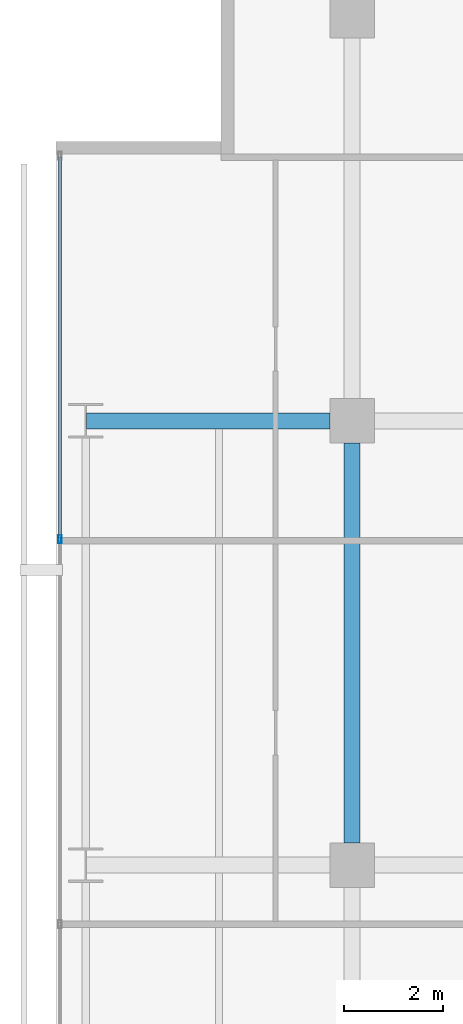
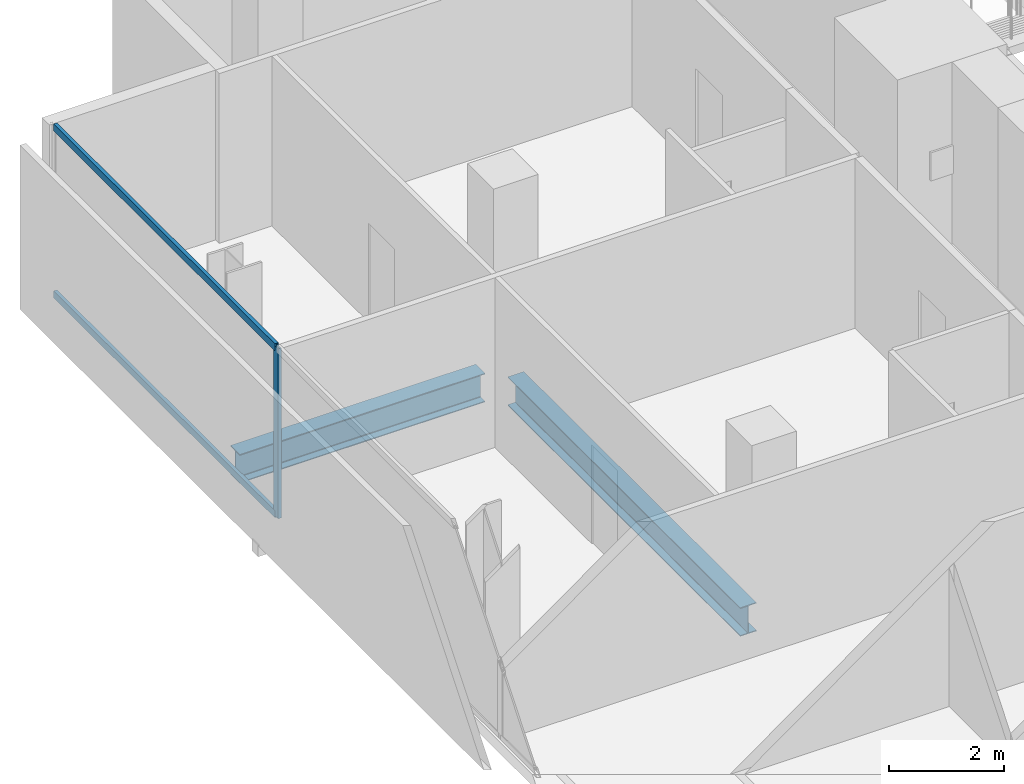
# One storey, part 23 of 40: 3 members, 2 beams, 1 element without a shape of its own.
"""IFC4 building model written with IfcOpenShell, lengths in metres."""

import ifcopenshell
import ifcopenshell.guid

model = None  # the IFC model being written
_history = None  # IfcOwnerHistory: only IFC2X3 demands one
_inside = {}  # id of a spatial element -> (the spatial element, [elements in it])
_under = {}  # id of a project, library or spatial element -> (it, [spatial elements below it])
_declared = {}  # id of a project -> (the project, [libraries it declares])
_typed = {}  # id of a type object -> (the type object, [elements of that type])
_made_of = {}  # id of a material, layer set ... -> (it, [elements and type objects made of it])


def new_model(schema):
    """Start an empty IFC model of exactly this schema.

    Asked for "IFC4X3", IfcOpenShell would pick the latest addendum, in which some entities
    have other attributes; the version numbers below select the first issue.
    IFC2X3 requires an IfcOwnerHistory on every rooted entity: one is made here for all.
    """
    global model, _history
    if schema == "IFC4X3":
        model = ifcopenshell.file(schema_version=(4, 3, 0, 0))
    else:
        model = ifcopenshell.file(schema=schema)
    _inside.clear()
    _under.clear()
    _declared.clear()
    _typed.clear()
    _made_of.clear()
    _history = None
    if model.schema == "IFC2X3":
        org = make("IfcOrganization", Name="unknown")
        user = make(
            "IfcPersonAndOrganization",
            ThePerson=make("IfcPerson", FamilyName="unknown"),
            TheOrganization=org,
        )
        app = make(
            "IfcApplication",
            ApplicationDeveloper=org,
            Version="unknown",
            ApplicationFullName="unknown",
            ApplicationIdentifier="unknown",
        )
        _history = make(
            "IfcOwnerHistory",
            OwningUser=user,
            OwningApplication=app,
            ChangeAction="ADDED",
            CreationDate=0,
        )
    return model


def make(cls, **values):
    """One entity of the class cls with the attributes given. An attribute that is None is left unset."""
    return model.create_entity(
        cls, **{name: value for name, value in values.items() if value is not None}
    )


def rooted(cls, **values):
    """An entity with a GlobalId (a new one), such as an element, a storey or a relation."""
    return make(cls, GlobalId=ifcopenshell.guid.new(), OwnerHistory=_history, **values)


def si_unit(unit_type, name, prefix=None):
    """IfcSIUnit, for example si_unit("LENGTHUNIT", "METRE", prefix="MILLI")."""
    return make("IfcSIUnit", UnitType=unit_type, Prefix=prefix, Name=name)


def assignment(units):
    """IfcUnitAssignment: the units of a project."""
    return None if units is None else make("IfcUnitAssignment", Units=units)


def point(xyz):
    """IfcCartesianPoint."""
    return None if xyz is None else make("IfcCartesianPoint", Coordinates=xyz)


def direction(xyz):
    """IfcDirection."""
    return None if xyz is None else make("IfcDirection", DirectionRatios=xyz)


def frame(location, z_axis=None, x_axis=None):
    """IfcAxis2Placement3D, a coordinate frame: its origin and axes. An axis left out is left unset."""
    return make(
        "IfcAxis2Placement3D",
        Location=point(location),
        Axis=direction(z_axis),
        RefDirection=direction(x_axis),
    )


def frame_2d(location, x_axis=None):
    """IfcAxis2Placement2D, a coordinate frame in the plane: its origin and x axis."""
    return make(
        "IfcAxis2Placement2D", Location=point(location), RefDirection=direction(x_axis)
    )


def origin():
    """The frame at (0, 0, 0) with its axes left unset."""
    return frame((0.0, 0.0, 0.0))


def origin_2d():
    """The frame at (0, 0) in the plane with its x axis left unset."""
    return frame_2d((0.0, 0.0))


def place(relative_to, where):
    """IfcLocalPlacement: puts the frame where relative to a parent placement (None: the world)."""
    return make(
        "IfcLocalPlacement", PlacementRelTo=relative_to, RelativePlacement=where
    )


def context(
    kind, dimensions, precision=None, world=None, true_north=None, identifier=None
):
    """IfcGeometricRepresentationContext, for example the 3D "Model" context."""
    return make(
        "IfcGeometricRepresentationContext",
        ContextIdentifier=identifier,
        ContextType=kind,
        CoordinateSpaceDimension=dimensions,
        Precision=precision,
        WorldCoordinateSystem=world,
        TrueNorth=true_north,
    )


def subcontext(parent, identifier, kind, view, scale=None):
    """IfcGeometricRepresentationSubContext, for example "Body" below "Model"."""
    return make(
        "IfcGeometricRepresentationSubContext",
        ContextIdentifier=identifier,
        ContextType=kind,
        ParentContext=parent,
        TargetScale=scale,
        TargetView=view,
    )


def project(units=None, contexts=None):
    """IfcProject with its units and contexts."""
    return rooted(
        "IfcProject",
        Name="project",
        RepresentationContexts=contexts,
        UnitsInContext=assignment(units),
    )


def spatial(cls, under=None, at=None, **own):
    """A site, building, storey or space (cls), placed at a placement, below another one or the project."""
    s = rooted(cls, ObjectPlacement=at, **own)
    if under is not None:
        _under.setdefault(under.id(), (under, []))[1].append(s)
    return s


def profile(cls, at=None, kind="AREA", **sizes):
    """A parametric profile (cls). Its sizes go by their IFC names, for example OverallWidth=200.0."""
    return make(cls, ProfileType=kind, Position=at, **sizes)


def hollow_rectangle(**sizes):
    """IfcRectangleHollowProfileDef."""
    return profile("IfcRectangleHollowProfileDef", **sizes)


def i_section(**sizes):
    """IfcIShapeProfileDef."""
    return profile("IfcIShapeProfileDef", **sizes)


def extrude(swept, where, along, depth):
    """IfcExtrudedAreaSolid: the profile swept, set in the frame where, extruded along a direction by depth."""
    return make(
        "IfcExtrudedAreaSolid",
        SweptArea=swept,
        Position=where,
        ExtrudedDirection=direction(along),
        Depth=depth,
    )


def shape(context_of_items, identifier, shape_type, items):
    """IfcShapeRepresentation: the items that make up one representation, for example the "Body"."""
    return make(
        "IfcShapeRepresentation",
        ContextOfItems=context_of_items,
        RepresentationIdentifier=identifier,
        RepresentationType=shape_type,
        Items=items,
    )


def material(Name=None, Category=None):
    """IfcMaterial."""
    return make("IfcMaterial", Name=Name, Category=Category)


def layer(
    of_material, thickness, ventilated=None, Name=None, Category=None, Priority=None
):
    """IfcMaterialLayer: one layer of a wall or slab, of a material (None: an air gap)."""
    return make(
        "IfcMaterialLayer",
        Material=of_material,
        LayerThickness=thickness,
        IsVentilated=ventilated,
        Name=Name,
        Category=Category,
        Priority=Priority,
    )


def layer_set(layers, Name=None):
    """IfcMaterialLayerSet."""
    return make("IfcMaterialLayerSet", MaterialLayers=layers, LayerSetName=Name)


def material_profile(
    of_material, cross_section, Name=None, Category=None, Priority=None
):
    """IfcMaterialProfile: a cross section and its material."""
    return make(
        "IfcMaterialProfile",
        Name=Name,
        Material=of_material,
        Profile=cross_section,
        Priority=Priority,
        Category=Category,
    )


def profile_set(profiles, Name=None, composite=None):
    """IfcMaterialProfileSet."""
    return make(
        "IfcMaterialProfileSet",
        Name=Name,
        MaterialProfiles=profiles,
        CompositeProfile=composite,
    )


def made_of(thing, what):
    """Note that an element or type object is made of a material, layer set ...; save() writes the relation."""
    if what is not None:
        _made_of.setdefault(what.id(), (what, []))[1].append(thing)
    return thing


def type_object(cls, material=None, **own):
    """A type object (cls), such as IfcWallType, which elements share."""
    return made_of(rooted(cls, **own), material)


def element(
    cls,
    number,
    at=None,
    inside=None,
    cuts=None,
    type_object=None,
    material=None,
    context=None,
    identifier="Body",
    shape_type=None,
    held_by="IfcProductDefinitionShape",
    body=None,
    shapes=None,
    **own,
):
    """One element of the class cls, such as IfcWall. Its Tag is "e" and its number.

    at: its placement. inside: the storey or other place that contains it. cuts: it is an
    opening in that element (IfcRelVoidsElement). A single representation is given by context,
    identifier, shape_type and body (its items); several are given by shapes. held_by: the class
    of the entity that holds the representations. save() writes the other relations.
    """
    e = rooted(cls, Tag="e%d" % number, ObjectPlacement=at, **own)
    if body is not None:
        shapes = [shape(context, identifier, shape_type, body)]
    if shapes is not None:
        e.Representation = make(held_by, Representations=shapes)
    if inside is not None:
        _inside.setdefault(inside.id(), (inside, []))[1].append(e)
    if cuts is not None:
        rooted(
            "IfcRelVoidsElement", RelatingBuildingElement=cuts, RelatedOpeningElement=e
        )
    if type_object is not None:
        _typed.setdefault(type_object.id(), (type_object, []))[1].append(e)
    return made_of(e, material)


def aggregate(whole, parts):
    """IfcRelAggregates: a whole, such as a stair, and the parts it consists of."""
    return rooted("IfcRelAggregates", RelatingObject=whole, RelatedObjects=parts)


def save(model, path):
    """Write the relations noted so far, then the file.

    IfcRelAggregates (storeys below a building ...), IfcRelContainedInSpatialStructure (elements
    in a storey), IfcRelDefinesByType, IfcRelAssociatesMaterial and IfcRelDeclares: one each for
    every whole, place, type object, material and project.
    """
    for whole, parts in _under.values():
        aggregate(whole, parts)
    for where, things in _inside.values():
        rooted(
            "IfcRelContainedInSpatialStructure",
            RelatedElements=things,
            RelatingStructure=where,
        )
    for kind, things in _typed.values():
        rooted("IfcRelDefinesByType", RelatedObjects=things, RelatingType=kind)
    for what, things in _made_of.values():
        rooted("IfcRelAssociatesMaterial", RelatedObjects=things, RelatingMaterial=what)
    for by, libraries in _declared.values():
        rooted("IfcRelDeclares", RelatingContext=by, RelatedDefinitions=libraries)
    model.write(path)


model = new_model("IFC4")

# Units and contexts
model_context = context("Model", 3, precision=1e-05, world=origin(), true_north=direction((0.0, 1.0)))
body_context = subcontext(model_context, "Body", "Model", "MODEL_VIEW")
ifc_project = project(units=[si_unit("LENGTHUNIT", "METRE"), si_unit("AREAUNIT", "SQUARE_METRE"), si_unit("VOLUMEUNIT", "CUBIC_METRE"), si_unit("PLANEANGLEUNIT", "RADIAN"), si_unit("MASSUNIT", "GRAM", prefix="KILO")], contexts=[model_context])

# Site, building, storey
site_placement = place(None, origin())
site = spatial("IfcSite", under=ifc_project, at=site_placement, CompositionType="ELEMENT")
building_placement = place(site_placement, origin())
building = spatial("IfcBuilding", under=site, at=building_placement, Name="Maruvema Waterfront Hotel and Observation Tower", CompositionType="ELEMENT")
storey_placement = place(building_placement, frame((0.0, 0.0, 96.25)))
storey = spatial("IfcBuildingStorey", under=building, at=storey_placement, Name="L23", CompositionType="ELEMENT", Elevation=96.25)

# Curtain wall, members
ifc_material_1 = material(Name="Anodised bronze aluminium and solar-control low-E IGU", Category="aluminium")
ifc_layer = layer(ifc_material_1, 0.159912109375, Name="Zone 1 Bronze Inner Thermal Curtain Wall System CW-02")
ifc_layer_set = layer_set([ifc_layer], Name="Anodised bronze aluminium and solar-control low-E IGU")
curtain_wall_type = type_object("IfcCurtainWallType", Name="Zone 1 Bronze Inner Thermal Curtain Wall System CW-02", PredefinedType="USERDEFINED", material=ifc_layer_set)
curtain_wall_placement = place(storey_placement, origin())
curtain_wall = element("IfcCurtainWall", 1, at=curtain_wall_placement, inside=storey, type_object=curtain_wall_type, Name="L23 Curtain Wall CW-L23-W", ObjectType="UNITISED CURTAIN WALL", PredefinedType="USERDEFINED")
ifc_material_2 = material(Name="Anodised architectural bronze aluminium", Category="aluminium")
ifc_material_profile_1 = material_profile(ifc_material_2, hollow_rectangle(XDim=0.070068359375, YDim=0.14990234375, WallThickness=0.00390625, at=origin_2d()), Name="ALU-T70x150")
ifc_profile_set_1 = profile_set([ifc_material_profile_1], Name="Anodised architectural bronze aluminium")
member_type_1 = type_object("IfcMemberType", Name="Curtain Wall Horizontal Transom ALU-T70x150", PredefinedType="USERDEFINED", material=ifc_profile_set_1)
member_1_placement = place(storey_placement, frame((10.8798828125, 50.340087890625, 0.030029296875), z_axis=(0.0, -1.0, 0.0), x_axis=(1.0, 0.0, 0.0)))
member_1 = element("IfcMember", 2, at=member_1_placement, type_object=member_type_1, Name="CW-02 transom 1.1", ObjectType="TRANSOM", PredefinedType="USERDEFINED", context=body_context, shape_type="SweptSolid", body=[
    extrude(hollow_rectangle(XDim=0.070068359375, YDim=0.14990234375, WallThickness=0.00390625, at=origin_2d()), origin(), (0.0, 0.0, 1.0), 7.710205078125),
])
member_2_placement = place(storey_placement, frame((10.8798828125, 50.340087890625, 3.580078125), z_axis=(0.0, -1.0, 0.0), x_axis=(1.0, 0.0, 0.0)))
member_2 = element("IfcMember", 3, at=member_2_placement, type_object=member_type_1, Name="CW-02 transom 1.2", ObjectType="TRANSOM", PredefinedType="USERDEFINED", context=body_context, shape_type="SweptSolid", body=[
    extrude(hollow_rectangle(XDim=0.070068359375, YDim=0.14990234375, WallThickness=0.00390625, at=origin_2d()), origin(), (0.0, 0.0, 1.0), 7.710205078125),
])
ifc_material_3 = material(Name="Anodised architectural bronze aluminium", Category="aluminium")
ifc_material_profile_2 = material_profile(ifc_material_3, hollow_rectangle(XDim=0.06494140625, YDim=0.1650390625, WallThickness=0.00390625, at=origin_2d()), Name="ALU-M65x165")
ifc_profile_set_2 = profile_set([ifc_material_profile_2], Name="Anodised architectural bronze aluminium")
member_type_2 = type_object("IfcMemberType", Name="Curtain Wall Primary Mullion ALU-M65x165", PredefinedType="MULLION", material=ifc_profile_set_2)
member_3_placement = place(storey_placement, frame((10.8798828125, 42.60009765625, 0.0), z_axis=(0.0, 0.0, 1.0), x_axis=(1.0, 0.0, 0.0)))
member_3 = element("IfcMember", 4, at=member_3_placement, type_object=member_type_2, Name="CW-02 mullion 2", PredefinedType="MULLION", context=body_context, shape_type="SweptSolid", body=[
    extrude(hollow_rectangle(XDim=0.06494140625, YDim=0.1650390625, WallThickness=0.00390625, at=origin_2d()), origin(), (0.0, 0.0, 1.0), 3.610107421875),
])
aggregate(curtain_wall, [member_3, member_1, member_2])

# Beams
ifc_material_4 = material(Name="Steel ASTM A572 Grade 50", Category="steel")
ifc_material_profile_3 = material_profile(ifc_material_4, i_section(OverallWidth=0.323974609375, OverallDepth=0.611083984375, WebThickness=0.0126953125, FlangeThickness=0.01904296875, FilletRadius=0.01806640625, at=origin_2d()), Name="W610x155.0")
ifc_profile_set_3 = profile_set([ifc_material_profile_3], Name="Steel ASTM A572 Grade 50")
beam_type = type_object("IfcBeamType", Name="Primary Floor Girder W610x155.0", PredefinedType="BEAM", material=ifc_profile_set_3)
beam_1_placement = place(storey_placement, frame((11.4140625, 45.0, -0.54541015625), z_axis=(1.0, 0.0, 0.0), x_axis=(0.0, 1.0, 0.0)))
element("IfcBeam", 5, at=beam_1_placement, inside=storey, type_object=beam_type, Name="L23 Floor Girder EW-32", PredefinedType="BEAM", context=body_context, shape_type="SweptSolid", body=[
    extrude(i_section(OverallWidth=0.323974609375, OverallDepth=0.611083984375, WebThickness=0.0126953125, FlangeThickness=0.01904296875, FilletRadius=0.01806640625, at=origin_2d()), origin(), (0.0, 0.0, 1.0), 4.93603515625),
])
beam_2_placement = place(storey_placement, frame((16.800048828125, 36.449951171875, -0.54541015625), z_axis=(0.0, 1.0, 0.0), x_axis=(-1.0, 0.0, 0.0)))
element("IfcBeam", 6, at=beam_2_placement, inside=storey, type_object=beam_type, Name="L23 Floor Girder NS-09", PredefinedType="BEAM", context=body_context, shape_type="SweptSolid", body=[
    extrude(i_section(OverallWidth=0.323974609375, OverallDepth=0.611083984375, WebThickness=0.0126953125, FlangeThickness=0.01904296875, FilletRadius=0.01806640625, at=origin_2d()), origin(), (0.0, 0.0, 1.0), 8.10009765625),
])

save(model, "model.ifc")
